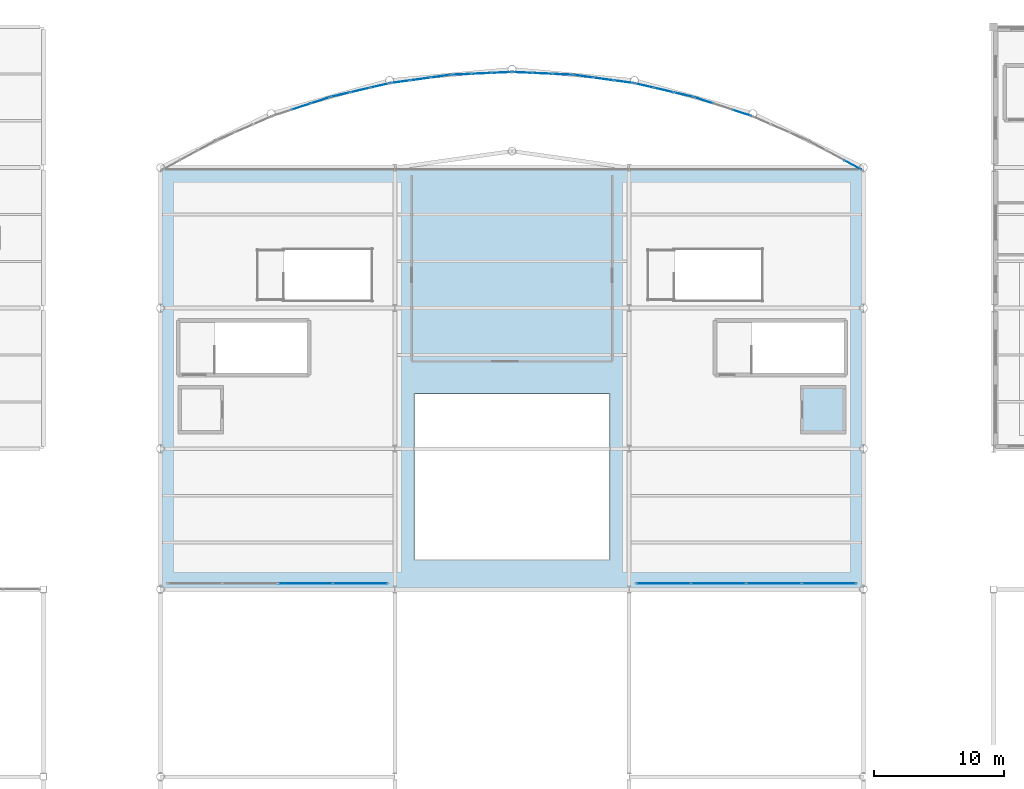
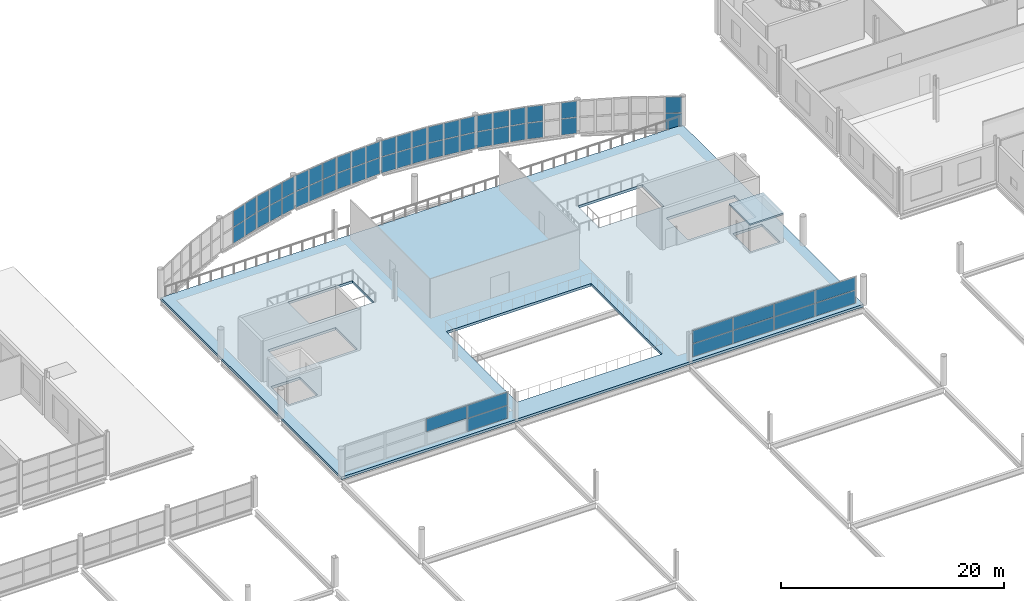
# One storey, part 116 of 134: 57 plates, 2 slabs, 11 elements without a shape of their own.
"""IFC4 building model written with IfcOpenShell, lengths in metres."""

from ifc_helpers import new_model, si_unit, direction, frame, origin, origin_2d, place, context, subcontext, project, spatial, polyline, rectangle, outline, extrude, material, layer, layer_set, type_object, element, aggregate, save


model = new_model("IFC4")

# Units and contexts
model_context = context("Model", 3, precision=1e-05, world=origin(), true_north=direction((0.0, 1.0)))
body_context = subcontext(model_context, "Body", "Model", "MODEL_VIEW")
ifc_project = project(units=[si_unit("LENGTHUNIT", "METRE"), si_unit("AREAUNIT", "SQUARE_METRE"), si_unit("VOLUMEUNIT", "CUBIC_METRE"), si_unit("PLANEANGLEUNIT", "RADIAN"), si_unit("MASSUNIT", "GRAM", prefix="KILO")], contexts=[model_context])

# Site, building, storey
site_placement = place(None, origin())
site = spatial("IfcSite", under=ifc_project, at=site_placement, CompositionType="ELEMENT")
building_placement = place(site_placement, origin())
building = spatial("IfcBuilding", under=site, at=building_placement, Name="Tamarisk Ironworks Central Station", CompositionType="ELEMENT")
storey_placement = place(building_placement, frame((0.0, 0.0, 12.60009765625)))
storey = spatial("IfcBuildingStorey", under=building, at=storey_placement, Name="L02", CompositionType="ELEMENT", Elevation=12.60009765625)

# Curtain wall, plates
ifc_material_1 = material(Name="Anodized aluminium alloy 6063-T6", Category="aluminium")
ifc_layer_1 = layer(ifc_material_1, 0.179931640625)
ifc_layer_set_1 = layer_set([ifc_layer_1], Name="Anodized aluminium alloy 6063-T6")
curtain_wall_type_1 = type_object("IfcCurtainWallType", Name="CW-24", PredefinedType="USERDEFINED", material=ifc_layer_set_1)
curtain_wall_1_placement = place(storey_placement, origin())
curtain_wall_1 = element("IfcCurtainWall", 1, at=curtain_wall_1_placement, inside=storey, type_object=curtain_wall_type_1, Name="Mezzanine south-west acoustic screen", ObjectType="GLAZED CURTAIN WALL", PredefinedType="USERDEFINED")
ifc_material_2 = material(Name="Laminated solar-control low-E glass", Category="glass")
ifc_layer_2 = layer(ifc_material_2, 0.02001953125)
ifc_layer_set_2 = layer_set([ifc_layer_2], Name="Laminated solar-control low-E glass")
plate_type_1 = type_object("IfcPlateType", Name="PL-CWP20", PredefinedType="CURTAIN_PANEL", material=ifc_layer_set_2)
plate_1_placement = place(storey_placement, frame((65.125, 79.64990234375, 1.531494140625), z_axis=(0.0, 0.0, 1.0), x_axis=(1.0, 0.0, 0.0)))
plate_1 = element("IfcPlate", 2, at=plate_1_placement, type_object=plate_type_1, Name="CW24 panel 3.2", PredefinedType="CURTAIN_PANEL", context=body_context, shape_type="SweptSolid", body=[
    extrude(rectangle(XDim=4.18701171875, YDim=0.02001953125, at=origin_2d()), origin(), (0.0, 0.0, 1.0), 1.3994140625),
])
plate_2_placement = place(storey_placement, frame((69.356201171875, 79.64990234375, 0.06884765625), z_axis=(0.0, 0.0, 1.0), x_axis=(1.0, 0.0, 0.0)))
plate_2 = element("IfcPlate", 3, at=plate_2_placement, type_object=plate_type_1, Name="CW24 panel 4.1", PredefinedType="CURTAIN_PANEL", context=body_context, shape_type="SweptSolid", body=[
    extrude(rectangle(XDim=4.1494140625, YDim=0.02001953125, at=origin_2d()), origin(), (0.0, 0.0, 1.0), 1.3994140625),
])
plate_3_placement = place(storey_placement, frame((69.356201171875, 79.64990234375, 1.531494140625), z_axis=(0.0, 0.0, 1.0), x_axis=(1.0, 0.0, 0.0)))
plate_3 = element("IfcPlate", 4, at=plate_3_placement, type_object=plate_type_1, Name="CW24 panel 4.2", PredefinedType="CURTAIN_PANEL", context=body_context, shape_type="SweptSolid", body=[
    extrude(rectangle(XDim=4.1494140625, YDim=0.02001953125, at=origin_2d()), origin(), (0.0, 0.0, 1.0), 1.3994140625),
])
aggregate(curtain_wall_1, [plate_1, plate_2, plate_3])

curtain_wall_2_placement = place(storey_placement, origin())
curtain_wall_2 = element("IfcCurtainWall", 5, at=curtain_wall_2_placement, inside=storey, type_object=curtain_wall_type_1, Name="Mezzanine south-east acoustic screen", ObjectType="GLAZED CURTAIN WALL", PredefinedType="USERDEFINED")
plate_4_placement = place(storey_placement, frame((92.643798828125, 79.64990234375, 0.06884765625), z_axis=(0.0, 0.0, 1.0), x_axis=(1.0, 0.0, 0.0)))
plate_4 = element("IfcPlate", 6, at=plate_4_placement, type_object=plate_type_1, Name="CW24 panel 1.1", PredefinedType="CURTAIN_PANEL", context=body_context, shape_type="SweptSolid", body=[
    extrude(rectangle(XDim=4.1494140625, YDim=0.02001953125, at=origin_2d()), origin(), (0.0, 0.0, 1.0), 1.3994140625),
])
plate_5_placement = place(storey_placement, frame((92.643798828125, 79.64990234375, 1.531494140625), z_axis=(0.0, 0.0, 1.0), x_axis=(1.0, 0.0, 0.0)))
plate_5 = element("IfcPlate", 7, at=plate_5_placement, type_object=plate_type_1, Name="CW24 panel 1.2", PredefinedType="CURTAIN_PANEL", context=body_context, shape_type="SweptSolid", body=[
    extrude(rectangle(XDim=4.1494140625, YDim=0.02001953125, at=origin_2d()), origin(), (0.0, 0.0, 1.0), 1.3994140625),
])
plate_6_placement = place(storey_placement, frame((96.875, 79.64990234375, 0.06884765625), z_axis=(0.0, 0.0, 1.0), x_axis=(1.0, 0.0, 0.0)))
plate_6 = element("IfcPlate", 8, at=plate_6_placement, type_object=plate_type_1, Name="CW24 panel 2.1", PredefinedType="CURTAIN_PANEL", context=body_context, shape_type="SweptSolid", body=[
    extrude(rectangle(XDim=4.18701171875, YDim=0.02001953125, at=origin_2d()), origin(), (0.0, 0.0, 1.0), 1.3994140625),
])
plate_7_placement = place(storey_placement, frame((96.875, 79.64990234375, 1.531494140625), z_axis=(0.0, 0.0, 1.0), x_axis=(1.0, 0.0, 0.0)))
plate_7 = element("IfcPlate", 9, at=plate_7_placement, type_object=plate_type_1, Name="CW24 panel 2.2", PredefinedType="CURTAIN_PANEL", context=body_context, shape_type="SweptSolid", body=[
    extrude(rectangle(XDim=4.18701171875, YDim=0.02001953125, at=origin_2d()), origin(), (0.0, 0.0, 1.0), 1.3994140625),
])
plate_8_placement = place(storey_placement, frame((101.125, 79.64990234375, 0.06884765625), z_axis=(0.0, 0.0, 1.0), x_axis=(1.0, 0.0, 0.0)))
plate_8 = element("IfcPlate", 10, at=plate_8_placement, type_object=plate_type_1, Name="CW24 panel 3.1", PredefinedType="CURTAIN_PANEL", context=body_context, shape_type="SweptSolid", body=[
    extrude(rectangle(XDim=4.18701171875, YDim=0.02001953125, at=origin_2d()), origin(), (0.0, 0.0, 1.0), 1.3994140625),
])
plate_9_placement = place(storey_placement, frame((101.125, 79.64990234375, 1.531494140625), z_axis=(0.0, 0.0, 1.0), x_axis=(1.0, 0.0, 0.0)))
plate_9 = element("IfcPlate", 11, at=plate_9_placement, type_object=plate_type_1, Name="CW24 panel 3.2", PredefinedType="CURTAIN_PANEL", context=body_context, shape_type="SweptSolid", body=[
    extrude(rectangle(XDim=4.18701171875, YDim=0.02001953125, at=origin_2d()), origin(), (0.0, 0.0, 1.0), 1.3994140625),
])
plate_10_placement = place(storey_placement, frame((105.356201171875, 79.64990234375, 0.06884765625), z_axis=(0.0, 0.0, 1.0), x_axis=(1.0, 0.0, 0.0)))
plate_10 = element("IfcPlate", 12, at=plate_10_placement, type_object=plate_type_1, Name="CW24 panel 4.1", PredefinedType="CURTAIN_PANEL", context=body_context, shape_type="SweptSolid", body=[
    extrude(rectangle(XDim=4.1494140625, YDim=0.02001953125, at=origin_2d()), origin(), (0.0, 0.0, 1.0), 1.3994140625),
])
plate_11_placement = place(storey_placement, frame((105.356201171875, 79.64990234375, 1.531494140625), z_axis=(0.0, 0.0, 1.0), x_axis=(1.0, 0.0, 0.0)))
plate_11 = element("IfcPlate", 13, at=plate_11_placement, type_object=plate_type_1, Name="CW24 panel 4.2", PredefinedType="CURTAIN_PANEL", context=body_context, shape_type="SweptSolid", body=[
    extrude(rectangle(XDim=4.1494140625, YDim=0.02001953125, at=origin_2d()), origin(), (0.0, 0.0, 1.0), 1.3994140625),
])
aggregate(curtain_wall_2, [plate_4, plate_5, plate_6, plate_7, plate_8, plate_9, plate_10, plate_11])

ifc_layer_3 = layer(ifc_material_1, 0.179931640625)
ifc_layer_set_3 = layer_set([ifc_layer_3], Name="Anodized aluminium alloy 6063-T6")
curtain_wall_type_2 = type_object("IfcCurtainWallType", Name="CW-03", PredefinedType="USERDEFINED", material=ifc_layer_set_3)
curtain_wall_3_placement = place(storey_placement, origin())
curtain_wall_3 = element("IfcCurtainWall", 14, at=curtain_wall_3_placement, inside=storey, type_object=curtain_wall_type_2, Name="NN rounded entrance hall L02 curtain wall bay 03", ObjectType="GLAZED CURTAIN WALL", PredefinedType="USERDEFINED")
ifc_layer_4 = layer(ifc_material_2, 0.028076171875)
ifc_layer_set_4 = layer_set([ifc_layer_4], Name="Laminated solar-control low-E glass")
plate_type_2 = type_object("IfcPlateType", Name="PL-CWP28", PredefinedType="CURTAIN_PANEL", material=ifc_layer_set_4)
plate_12_placement = place(storey_placement, frame((64.8046875, 116.28466796875, -0.316162109375), z_axis=(0.0, 0.0, 1.0), x_axis=(0.949720671692, 0.313098460171, 0.0)))
plate_12 = element("IfcPlate", 15, at=plate_12_placement, type_object=plate_type_2, Name="CW03 panel 2.1", PredefinedType="CURTAIN_PANEL", context=body_context, shape_type="SweptSolid", body=[
    extrude(rectangle(XDim=1.5068359375, YDim=0.028076171875, at=origin_2d()), origin(), (0.0, 0.0, 1.0), 1.73193359375),
])
plate_13_placement = place(storey_placement, frame((64.8046875, 116.28466796875, 1.47900390625), z_axis=(0.0, 0.0, 1.0), x_axis=(0.949720671692, 0.313098460171, 0.0)))
plate_13 = element("IfcPlate", 16, at=plate_13_placement, type_object=plate_type_2, Name="CW03 panel 2.2", PredefinedType="CURTAIN_PANEL", context=body_context, shape_type="SweptSolid", body=[
    extrude(rectangle(XDim=1.5068359375, YDim=0.028076171875, at=origin_2d()), origin(), (0.0, 0.0, 1.0), 1.73193359375),
])
plate_14_placement = place(storey_placement, frame((66.27783203125, 116.770263671875, -0.316162109375), z_axis=(0.0, 0.0, 1.0), x_axis=(0.949720671692, 0.313098460171, 0.0)))
plate_14 = element("IfcPlate", 17, at=plate_14_placement, type_object=plate_type_2, Name="CW03 panel 3.1", PredefinedType="CURTAIN_PANEL", context=body_context, shape_type="SweptSolid", body=[
    extrude(rectangle(XDim=1.469482421875, YDim=0.028076171875, at=origin_2d()), origin(), (0.0, 0.0, 1.0), 1.73193359375),
])
plate_15_placement = place(storey_placement, frame((66.27783203125, 116.770263671875, 1.47900390625), z_axis=(0.0, 0.0, 1.0), x_axis=(0.949720671692, 0.313098460171, 0.0)))
plate_15 = element("IfcPlate", 18, at=plate_15_placement, type_object=plate_type_2, Name="CW03 panel 3.2", PredefinedType="CURTAIN_PANEL", context=body_context, shape_type="SweptSolid", body=[
    extrude(rectangle(XDim=1.469482421875, YDim=0.028076171875, at=origin_2d()), origin(), (0.0, 0.0, 1.0), 1.73193359375),
])
aggregate(curtain_wall_3, [plate_12, plate_13, plate_14, plate_15])

curtain_wall_4_placement = place(storey_placement, origin())
curtain_wall_4 = element("IfcCurtainWall", 19, at=curtain_wall_4_placement, inside=storey, type_object=curtain_wall_type_2, Name="NN rounded entrance hall L02 curtain wall bay 04", ObjectType="GLAZED CURTAIN WALL", PredefinedType="USERDEFINED")
plate_16_placement = place(storey_placement, frame((67.823974609375, 117.203125, -0.316162109375), z_axis=(0.0, 0.0, 1.0), x_axis=(0.974239240545, 0.225516966506, 0.0)))
plate_16 = element("IfcPlate", 20, at=plate_16_placement, type_object=plate_type_2, Name="CW03 panel 1.1", PredefinedType="CURTAIN_PANEL", context=body_context, shape_type="SweptSolid", body=[
    extrude(rectangle(XDim=1.469482421875, YDim=0.028076171875, at=origin_2d()), origin(), (0.0, 0.0, 1.0), 1.73193359375),
])
plate_17_placement = place(storey_placement, frame((67.823974609375, 117.203125, 1.47900390625), z_axis=(0.0, 0.0, 1.0), x_axis=(0.974239240545, 0.225516966506, 0.0)))
plate_17 = element("IfcPlate", 21, at=plate_17_placement, type_object=plate_type_2, Name="CW03 panel 1.2", PredefinedType="CURTAIN_PANEL", context=body_context, shape_type="SweptSolid", body=[
    extrude(rectangle(XDim=1.469482421875, YDim=0.028076171875, at=origin_2d()), origin(), (0.0, 0.0, 1.0), 1.73193359375),
])
plate_18_placement = place(storey_placement, frame((69.335205078125, 117.552978515625, -0.316162109375), z_axis=(0.0, 0.0, 1.0), x_axis=(0.974239240545, 0.225516966506, 0.0)))
plate_18 = element("IfcPlate", 22, at=plate_18_placement, type_object=plate_type_2, Name="CW03 panel 2.1", PredefinedType="CURTAIN_PANEL", context=body_context, shape_type="SweptSolid", body=[
    extrude(rectangle(XDim=1.5068359375, YDim=0.028076171875, at=origin_2d()), origin(), (0.0, 0.0, 1.0), 1.73193359375),
])
plate_19_placement = place(storey_placement, frame((69.335205078125, 117.552978515625, 1.47900390625), z_axis=(0.0, 0.0, 1.0), x_axis=(0.974239240545, 0.225516966506, 0.0)))
plate_19 = element("IfcPlate", 23, at=plate_19_placement, type_object=plate_type_2, Name="CW03 panel 2.2", PredefinedType="CURTAIN_PANEL", context=body_context, shape_type="SweptSolid", body=[
    extrude(rectangle(XDim=1.5068359375, YDim=0.028076171875, at=origin_2d()), origin(), (0.0, 0.0, 1.0), 1.73193359375),
])
plate_20_placement = place(storey_placement, frame((70.846435546875, 117.90283203125, -0.316162109375), z_axis=(0.0, 0.0, 1.0), x_axis=(0.974239240545, 0.225516966506, 0.0)))
plate_20 = element("IfcPlate", 24, at=plate_20_placement, type_object=plate_type_2, Name="CW03 panel 3.1", PredefinedType="CURTAIN_PANEL", context=body_context, shape_type="SweptSolid", body=[
    extrude(rectangle(XDim=1.469482421875, YDim=0.028076171875, at=origin_2d()), origin(), (0.0, 0.0, 1.0), 1.73193359375),
])
plate_21_placement = place(storey_placement, frame((70.846435546875, 117.90283203125, 1.47900390625), z_axis=(0.0, 0.0, 1.0), x_axis=(0.974239240545, 0.225516966506, 0.0)))
plate_21 = element("IfcPlate", 25, at=plate_21_placement, type_object=plate_type_2, Name="CW03 panel 3.2", PredefinedType="CURTAIN_PANEL", context=body_context, shape_type="SweptSolid", body=[
    extrude(rectangle(XDim=1.469482421875, YDim=0.028076171875, at=origin_2d()), origin(), (0.0, 0.0, 1.0), 1.73193359375),
])
aggregate(curtain_wall_4, [plate_16, plate_17, plate_18, plate_19, plate_20, plate_21])

curtain_wall_5_placement = place(storey_placement, origin())
curtain_wall_5 = element("IfcCurtainWall", 26, at=curtain_wall_5_placement, inside=storey, type_object=curtain_wall_type_2, Name="NN rounded entrance hall L02 curtain wall bay 05", ObjectType="GLAZED CURTAIN WALL", PredefinedType="USERDEFINED")
plate_22_placement = place(storey_placement, frame((72.425537109375, 118.193359375, -0.316162109375), z_axis=(0.0, 0.0, 1.0), x_axis=(0.990703108403, 0.136041725218, 0.0)))
plate_22 = element("IfcPlate", 27, at=plate_22_placement, type_object=plate_type_2, Name="CW03 panel 1.1", PredefinedType="CURTAIN_PANEL", context=body_context, shape_type="SweptSolid", body=[
    extrude(rectangle(XDim=1.469482421875, YDim=0.028076171875, at=origin_2d()), origin(), (0.0, 0.0, 1.0), 1.73193359375),
])
plate_23_placement = place(storey_placement, frame((72.425537109375, 118.193359375, 1.47900390625), z_axis=(0.0, 0.0, 1.0), x_axis=(0.990703108403, 0.136041725218, 0.0)))
plate_23 = element("IfcPlate", 28, at=plate_23_placement, type_object=plate_type_2, Name="CW03 panel 1.2", PredefinedType="CURTAIN_PANEL", context=body_context, shape_type="SweptSolid", body=[
    extrude(rectangle(XDim=1.469482421875, YDim=0.028076171875, at=origin_2d()), origin(), (0.0, 0.0, 1.0), 1.73193359375),
])
plate_24_placement = place(storey_placement, frame((73.96240234375, 118.404541015625, -0.316162109375), z_axis=(0.0, 0.0, 1.0), x_axis=(0.990703108403, 0.136041725218, 0.0)))
plate_24 = element("IfcPlate", 29, at=plate_24_placement, type_object=plate_type_2, Name="CW03 panel 2.1", PredefinedType="CURTAIN_PANEL", context=body_context, shape_type="SweptSolid", body=[
    extrude(rectangle(XDim=1.5068359375, YDim=0.028076171875, at=origin_2d()), origin(), (0.0, 0.0, 1.0), 1.73193359375),
])
plate_25_placement = place(storey_placement, frame((73.96240234375, 118.404541015625, 1.47900390625), z_axis=(0.0, 0.0, 1.0), x_axis=(0.990703108403, 0.136041725218, 0.0)))
plate_25 = element("IfcPlate", 30, at=plate_25_placement, type_object=plate_type_2, Name="CW03 panel 2.2", PredefinedType="CURTAIN_PANEL", context=body_context, shape_type="SweptSolid", body=[
    extrude(rectangle(XDim=1.5068359375, YDim=0.028076171875, at=origin_2d()), origin(), (0.0, 0.0, 1.0), 1.73193359375),
])
plate_26_placement = place(storey_placement, frame((75.4990234375, 118.615478515625, -0.316162109375), z_axis=(0.0, 0.0, 1.0), x_axis=(0.990703108403, 0.136041725218, 0.0)))
plate_26 = element("IfcPlate", 31, at=plate_26_placement, type_object=plate_type_2, Name="CW03 panel 3.1", PredefinedType="CURTAIN_PANEL", context=body_context, shape_type="SweptSolid", body=[
    extrude(rectangle(XDim=1.469482421875, YDim=0.028076171875, at=origin_2d()), origin(), (0.0, 0.0, 1.0), 1.73193359375),
])
plate_27_placement = place(storey_placement, frame((75.4990234375, 118.615478515625, 1.47900390625), z_axis=(0.0, 0.0, 1.0), x_axis=(0.990703108403, 0.136041725218, 0.0)))
plate_27 = element("IfcPlate", 32, at=plate_27_placement, type_object=plate_type_2, Name="CW03 panel 3.2", PredefinedType="CURTAIN_PANEL", context=body_context, shape_type="SweptSolid", body=[
    extrude(rectangle(XDim=1.469482421875, YDim=0.028076171875, at=origin_2d()), origin(), (0.0, 0.0, 1.0), 1.73193359375),
])
aggregate(curtain_wall_5, [plate_22, plate_23, plate_24, plate_25, plate_26, plate_27])

curtain_wall_6_placement = place(storey_placement, origin())
curtain_wall_6 = element("IfcCurtainWall", 33, at=curtain_wall_6_placement, inside=storey, type_object=curtain_wall_type_2, Name="NN rounded entrance hall L02 curtain wall bay 06", ObjectType="GLAZED CURTAIN WALL", PredefinedType="USERDEFINED")
plate_28_placement = place(storey_placement, frame((77.09814453125, 118.761474609375, -0.316162109375), z_axis=(0.0, 0.0, 1.0), x_axis=(0.998965210312, 0.045480859558, 0.0)))
plate_28 = element("IfcPlate", 34, at=plate_28_placement, type_object=plate_type_2, Name="CW03 panel 1.1", PredefinedType="CURTAIN_PANEL", context=body_context, shape_type="SweptSolid", body=[
    extrude(rectangle(XDim=1.469482421875, YDim=0.028076171875, at=origin_2d()), origin(), (0.0, 0.0, 1.0), 1.73193359375),
])
plate_29_placement = place(storey_placement, frame((77.09814453125, 118.761474609375, 1.47900390625), z_axis=(0.0, 0.0, 1.0), x_axis=(0.998965210312, 0.045480859558, 0.0)))
plate_29 = element("IfcPlate", 35, at=plate_29_placement, type_object=plate_type_2, Name="CW03 panel 1.2", PredefinedType="CURTAIN_PANEL", context=body_context, shape_type="SweptSolid", body=[
    extrude(rectangle(XDim=1.469482421875, YDim=0.028076171875, at=origin_2d()), origin(), (0.0, 0.0, 1.0), 1.73193359375),
])
plate_30_placement = place(storey_placement, frame((78.647705078125, 118.831787109375, -0.316162109375), z_axis=(0.0, 0.0, 1.0), x_axis=(0.998965210312, 0.045480859558, 0.0)))
plate_30 = element("IfcPlate", 36, at=plate_30_placement, type_object=plate_type_2, Name="CW03 panel 2.1", PredefinedType="CURTAIN_PANEL", context=body_context, shape_type="SweptSolid", body=[
    extrude(rectangle(XDim=1.5068359375, YDim=0.028076171875, at=origin_2d()), origin(), (0.0, 0.0, 1.0), 1.73193359375),
])
plate_31_placement = place(storey_placement, frame((78.647705078125, 118.831787109375, 1.47900390625), z_axis=(0.0, 0.0, 1.0), x_axis=(0.998965210312, 0.045480859558, 0.0)))
plate_31 = element("IfcPlate", 37, at=plate_31_placement, type_object=plate_type_2, Name="CW03 panel 2.2", PredefinedType="CURTAIN_PANEL", context=body_context, shape_type="SweptSolid", body=[
    extrude(rectangle(XDim=1.5068359375, YDim=0.028076171875, at=origin_2d()), origin(), (0.0, 0.0, 1.0), 1.73193359375),
])
plate_32_placement = place(storey_placement, frame((80.197021484375, 118.90234375, -0.316162109375), z_axis=(0.0, 0.0, 1.0), x_axis=(0.998965210312, 0.045480859558, 0.0)))
plate_32 = element("IfcPlate", 38, at=plate_32_placement, type_object=plate_type_2, Name="CW03 panel 3.1", PredefinedType="CURTAIN_PANEL", context=body_context, shape_type="SweptSolid", body=[
    extrude(rectangle(XDim=1.469482421875, YDim=0.028076171875, at=origin_2d()), origin(), (0.0, 0.0, 1.0), 1.73193359375),
])
plate_33_placement = place(storey_placement, frame((80.197021484375, 118.90234375, 1.47900390625), z_axis=(0.0, 0.0, 1.0), x_axis=(0.998965210312, 0.045480859558, 0.0)))
plate_33 = element("IfcPlate", 39, at=plate_33_placement, type_object=plate_type_2, Name="CW03 panel 3.2", PredefinedType="CURTAIN_PANEL", context=body_context, shape_type="SweptSolid", body=[
    extrude(rectangle(XDim=1.469482421875, YDim=0.028076171875, at=origin_2d()), origin(), (0.0, 0.0, 1.0), 1.73193359375),
])
aggregate(curtain_wall_6, [plate_28, plate_29, plate_30, plate_31, plate_32, plate_33])

curtain_wall_7_placement = place(storey_placement, origin())
curtain_wall_7 = element("IfcCurtainWall", 40, at=curtain_wall_7_placement, inside=storey, type_object=curtain_wall_type_2, Name="NN rounded entrance hall L02 curtain wall bay 07", ObjectType="GLAZED CURTAIN WALL", PredefinedType="USERDEFINED")
plate_34_placement = place(storey_placement, frame((81.802978515625, 118.90234375, -0.316162109375), z_axis=(0.0, 0.0, 1.0), x_axis=(0.998965210312, -0.045480859558, 0.0)))
plate_34 = element("IfcPlate", 41, at=plate_34_placement, type_object=plate_type_2, Name="CW03 panel 1.1", PredefinedType="CURTAIN_PANEL", context=body_context, shape_type="SweptSolid", body=[
    extrude(rectangle(XDim=1.469482421875, YDim=0.028076171875, at=origin_2d()), origin(), (0.0, 0.0, 1.0), 1.73193359375),
])
plate_35_placement = place(storey_placement, frame((81.802978515625, 118.90234375, 1.47900390625), z_axis=(0.0, 0.0, 1.0), x_axis=(0.998965210312, -0.045480859558, 0.0)))
plate_35 = element("IfcPlate", 42, at=plate_35_placement, type_object=plate_type_2, Name="CW03 panel 1.2", PredefinedType="CURTAIN_PANEL", context=body_context, shape_type="SweptSolid", body=[
    extrude(rectangle(XDim=1.469482421875, YDim=0.028076171875, at=origin_2d()), origin(), (0.0, 0.0, 1.0), 1.73193359375),
])
plate_36_placement = place(storey_placement, frame((83.352294921875, 118.831787109375, -0.316162109375), z_axis=(0.0, 0.0, 1.0), x_axis=(0.998965210312, -0.045480859558, 0.0)))
plate_36 = element("IfcPlate", 43, at=plate_36_placement, type_object=plate_type_2, Name="CW03 panel 2.1", PredefinedType="CURTAIN_PANEL", context=body_context, shape_type="SweptSolid", body=[
    extrude(rectangle(XDim=1.5068359375, YDim=0.028076171875, at=origin_2d()), origin(), (0.0, 0.0, 1.0), 1.73193359375),
])
plate_37_placement = place(storey_placement, frame((83.352294921875, 118.831787109375, 1.47900390625), z_axis=(0.0, 0.0, 1.0), x_axis=(0.998965210312, -0.045480859558, 0.0)))
plate_37 = element("IfcPlate", 44, at=plate_37_placement, type_object=plate_type_2, Name="CW03 panel 2.2", PredefinedType="CURTAIN_PANEL", context=body_context, shape_type="SweptSolid", body=[
    extrude(rectangle(XDim=1.5068359375, YDim=0.028076171875, at=origin_2d()), origin(), (0.0, 0.0, 1.0), 1.73193359375),
])
plate_38_placement = place(storey_placement, frame((84.90185546875, 118.761474609375, -0.316162109375), z_axis=(0.0, 0.0, 1.0), x_axis=(0.998965210312, -0.045480859558, 0.0)))
plate_38 = element("IfcPlate", 45, at=plate_38_placement, type_object=plate_type_2, Name="CW03 panel 3.1", PredefinedType="CURTAIN_PANEL", context=body_context, shape_type="SweptSolid", body=[
    extrude(rectangle(XDim=1.469482421875, YDim=0.028076171875, at=origin_2d()), origin(), (0.0, 0.0, 1.0), 1.73193359375),
])
plate_39_placement = place(storey_placement, frame((84.90185546875, 118.761474609375, 1.47900390625), z_axis=(0.0, 0.0, 1.0), x_axis=(0.998965210312, -0.045480859558, 0.0)))
plate_39 = element("IfcPlate", 46, at=plate_39_placement, type_object=plate_type_2, Name="CW03 panel 3.2", PredefinedType="CURTAIN_PANEL", context=body_context, shape_type="SweptSolid", body=[
    extrude(rectangle(XDim=1.469482421875, YDim=0.028076171875, at=origin_2d()), origin(), (0.0, 0.0, 1.0), 1.73193359375),
])
aggregate(curtain_wall_7, [plate_34, plate_35, plate_36, plate_37, plate_38, plate_39])

curtain_wall_8_placement = place(storey_placement, origin())
curtain_wall_8 = element("IfcCurtainWall", 47, at=curtain_wall_8_placement, inside=storey, type_object=curtain_wall_type_2, Name="NN rounded entrance hall L02 curtain wall bay 08", ObjectType="GLAZED CURTAIN WALL", PredefinedType="USERDEFINED")
plate_40_placement = place(storey_placement, frame((86.5009765625, 118.615478515625, -0.316162109375), z_axis=(0.0, 0.0, 1.0), x_axis=(0.990703108403, -0.136041725218, 0.0)))
plate_40 = element("IfcPlate", 48, at=plate_40_placement, type_object=plate_type_2, Name="CW03 panel 1.1", PredefinedType="CURTAIN_PANEL", context=body_context, shape_type="SweptSolid", body=[
    extrude(rectangle(XDim=1.469482421875, YDim=0.028076171875, at=origin_2d()), origin(), (0.0, 0.0, 1.0), 1.73193359375),
])
plate_41_placement = place(storey_placement, frame((86.5009765625, 118.615478515625, 1.47900390625), z_axis=(0.0, 0.0, 1.0), x_axis=(0.990703108403, -0.136041725218, 0.0)))
plate_41 = element("IfcPlate", 49, at=plate_41_placement, type_object=plate_type_2, Name="CW03 panel 1.2", PredefinedType="CURTAIN_PANEL", context=body_context, shape_type="SweptSolid", body=[
    extrude(rectangle(XDim=1.469482421875, YDim=0.028076171875, at=origin_2d()), origin(), (0.0, 0.0, 1.0), 1.73193359375),
])
plate_42_placement = place(storey_placement, frame((88.03759765625, 118.404541015625, -0.316162109375), z_axis=(0.0, 0.0, 1.0), x_axis=(0.990703108403, -0.136041725218, 0.0)))
plate_42 = element("IfcPlate", 50, at=plate_42_placement, type_object=plate_type_2, Name="CW03 panel 2.1", PredefinedType="CURTAIN_PANEL", context=body_context, shape_type="SweptSolid", body=[
    extrude(rectangle(XDim=1.5068359375, YDim=0.028076171875, at=origin_2d()), origin(), (0.0, 0.0, 1.0), 1.73193359375),
])
plate_43_placement = place(storey_placement, frame((88.03759765625, 118.404541015625, 1.47900390625), z_axis=(0.0, 0.0, 1.0), x_axis=(0.990703108403, -0.136041725218, 0.0)))
plate_43 = element("IfcPlate", 51, at=plate_43_placement, type_object=plate_type_2, Name="CW03 panel 2.2", PredefinedType="CURTAIN_PANEL", context=body_context, shape_type="SweptSolid", body=[
    extrude(rectangle(XDim=1.5068359375, YDim=0.028076171875, at=origin_2d()), origin(), (0.0, 0.0, 1.0), 1.73193359375),
])
plate_44_placement = place(storey_placement, frame((89.574462890625, 118.193359375, -0.316162109375), z_axis=(0.0, 0.0, 1.0), x_axis=(0.990703108403, -0.136041725218, 0.0)))
plate_44 = element("IfcPlate", 52, at=plate_44_placement, type_object=plate_type_2, Name="CW03 panel 3.1", PredefinedType="CURTAIN_PANEL", context=body_context, shape_type="SweptSolid", body=[
    extrude(rectangle(XDim=1.469482421875, YDim=0.028076171875, at=origin_2d()), origin(), (0.0, 0.0, 1.0), 1.73193359375),
])
plate_45_placement = place(storey_placement, frame((89.574462890625, 118.193359375, 1.47900390625), z_axis=(0.0, 0.0, 1.0), x_axis=(0.990703108403, -0.136041725218, 0.0)))
plate_45 = element("IfcPlate", 53, at=plate_45_placement, type_object=plate_type_2, Name="CW03 panel 3.2", PredefinedType="CURTAIN_PANEL", context=body_context, shape_type="SweptSolid", body=[
    extrude(rectangle(XDim=1.469482421875, YDim=0.028076171875, at=origin_2d()), origin(), (0.0, 0.0, 1.0), 1.73193359375),
])
aggregate(curtain_wall_8, [plate_40, plate_41, plate_42, plate_43, plate_44, plate_45])

curtain_wall_9_placement = place(storey_placement, origin())
curtain_wall_9 = element("IfcCurtainWall", 54, at=curtain_wall_9_placement, inside=storey, type_object=curtain_wall_type_2, Name="NN rounded entrance hall L02 curtain wall bay 09", ObjectType="GLAZED CURTAIN WALL", PredefinedType="USERDEFINED")
plate_46_placement = place(storey_placement, frame((91.153564453125, 117.90283203125, -0.316162109375), z_axis=(0.0, 0.0, 1.0), x_axis=(0.974239240545, -0.225516966506, 0.0)))
plate_46 = element("IfcPlate", 55, at=plate_46_placement, type_object=plate_type_2, Name="CW03 panel 1.1", PredefinedType="CURTAIN_PANEL", context=body_context, shape_type="SweptSolid", body=[
    extrude(rectangle(XDim=1.469482421875, YDim=0.028076171875, at=origin_2d()), origin(), (0.0, 0.0, 1.0), 1.73193359375),
])
plate_47_placement = place(storey_placement, frame((91.153564453125, 117.90283203125, 1.47900390625), z_axis=(0.0, 0.0, 1.0), x_axis=(0.974239240545, -0.225516966506, 0.0)))
plate_47 = element("IfcPlate", 56, at=plate_47_placement, type_object=plate_type_2, Name="CW03 panel 1.2", PredefinedType="CURTAIN_PANEL", context=body_context, shape_type="SweptSolid", body=[
    extrude(rectangle(XDim=1.469482421875, YDim=0.028076171875, at=origin_2d()), origin(), (0.0, 0.0, 1.0), 1.73193359375),
])
plate_48_placement = place(storey_placement, frame((92.664794921875, 117.552978515625, -0.316162109375), z_axis=(0.0, 0.0, 1.0), x_axis=(0.974239240545, -0.225516966506, 0.0)))
plate_48 = element("IfcPlate", 57, at=plate_48_placement, type_object=plate_type_2, Name="CW03 panel 2.1", PredefinedType="CURTAIN_PANEL", context=body_context, shape_type="SweptSolid", body=[
    extrude(rectangle(XDim=1.5068359375, YDim=0.028076171875, at=origin_2d()), origin(), (0.0, 0.0, 1.0), 1.73193359375),
])
plate_49_placement = place(storey_placement, frame((92.664794921875, 117.552978515625, 1.47900390625), z_axis=(0.0, 0.0, 1.0), x_axis=(0.974239240545, -0.225516966506, 0.0)))
plate_49 = element("IfcPlate", 58, at=plate_49_placement, type_object=plate_type_2, Name="CW03 panel 2.2", PredefinedType="CURTAIN_PANEL", context=body_context, shape_type="SweptSolid", body=[
    extrude(rectangle(XDim=1.5068359375, YDim=0.028076171875, at=origin_2d()), origin(), (0.0, 0.0, 1.0), 1.73193359375),
])
plate_50_placement = place(storey_placement, frame((94.176025390625, 117.203125, -0.316162109375), z_axis=(0.0, 0.0, 1.0), x_axis=(0.974239240545, -0.225516966506, 0.0)))
plate_50 = element("IfcPlate", 59, at=plate_50_placement, type_object=plate_type_2, Name="CW03 panel 3.1", PredefinedType="CURTAIN_PANEL", context=body_context, shape_type="SweptSolid", body=[
    extrude(rectangle(XDim=1.469482421875, YDim=0.028076171875, at=origin_2d()), origin(), (0.0, 0.0, 1.0), 1.73193359375),
])
plate_51_placement = place(storey_placement, frame((94.176025390625, 117.203125, 1.47900390625), z_axis=(0.0, 0.0, 1.0), x_axis=(0.974239240545, -0.225516966506, 0.0)))
plate_51 = element("IfcPlate", 60, at=plate_51_placement, type_object=plate_type_2, Name="CW03 panel 3.2", PredefinedType="CURTAIN_PANEL", context=body_context, shape_type="SweptSolid", body=[
    extrude(rectangle(XDim=1.469482421875, YDim=0.028076171875, at=origin_2d()), origin(), (0.0, 0.0, 1.0), 1.73193359375),
])
aggregate(curtain_wall_9, [plate_46, plate_47, plate_48, plate_49, plate_50, plate_51])

curtain_wall_10_placement = place(storey_placement, origin())
curtain_wall_10 = element("IfcCurtainWall", 61, at=curtain_wall_10_placement, inside=storey, type_object=curtain_wall_type_2, Name="NN rounded entrance hall L02 curtain wall bay 10", ObjectType="GLAZED CURTAIN WALL", PredefinedType="USERDEFINED")
plate_52_placement = place(storey_placement, frame((95.72216796875, 116.770263671875, -0.316162109375), z_axis=(0.0, 0.0, 1.0), x_axis=(0.949720671692, -0.313098460171, 0.0)))
plate_52 = element("IfcPlate", 62, at=plate_52_placement, type_object=plate_type_2, Name="CW03 panel 1.1", PredefinedType="CURTAIN_PANEL", context=body_context, shape_type="SweptSolid", body=[
    extrude(rectangle(XDim=1.469482421875, YDim=0.028076171875, at=origin_2d()), origin(), (0.0, 0.0, 1.0), 1.73193359375),
])
plate_53_placement = place(storey_placement, frame((95.72216796875, 116.770263671875, 1.47900390625), z_axis=(0.0, 0.0, 1.0), x_axis=(0.949720671692, -0.313098460171, 0.0)))
plate_53 = element("IfcPlate", 63, at=plate_53_placement, type_object=plate_type_2, Name="CW03 panel 1.2", PredefinedType="CURTAIN_PANEL", context=body_context, shape_type="SweptSolid", body=[
    extrude(rectangle(XDim=1.469482421875, YDim=0.028076171875, at=origin_2d()), origin(), (0.0, 0.0, 1.0), 1.73193359375),
])
plate_54_placement = place(storey_placement, frame((98.66845703125, 115.799072265625, -0.316162109375), z_axis=(0.0, 0.0, 1.0), x_axis=(0.949720671692, -0.313098460171, 0.0)))
plate_54 = element("IfcPlate", 64, at=plate_54_placement, type_object=plate_type_2, Name="CW03 panel 3.1", PredefinedType="CURTAIN_PANEL", context=body_context, shape_type="SweptSolid", body=[
    extrude(rectangle(XDim=1.469482421875, YDim=0.028076171875, at=origin_2d()), origin(), (0.0, 0.0, 1.0), 1.73193359375),
])
plate_55_placement = place(storey_placement, frame((98.66845703125, 115.799072265625, 1.47900390625), z_axis=(0.0, 0.0, 1.0), x_axis=(0.949720671692, -0.313098460171, 0.0)))
plate_55 = element("IfcPlate", 65, at=plate_55_placement, type_object=plate_type_2, Name="CW03 panel 3.2", PredefinedType="CURTAIN_PANEL", context=body_context, shape_type="SweptSolid", body=[
    extrude(rectangle(XDim=1.469482421875, YDim=0.028076171875, at=origin_2d()), origin(), (0.0, 0.0, 1.0), 1.73193359375),
])
aggregate(curtain_wall_10, [plate_52, plate_53, plate_54, plate_55])

curtain_wall_11_placement = place(storey_placement, origin())
curtain_wall_11 = element("IfcCurtainWall", 66, at=curtain_wall_11_placement, inside=storey, type_object=curtain_wall_type_2, Name="NN rounded entrance hall L02 curtain wall bay 12", ObjectType="GLAZED CURTAIN WALL", PredefinedType="USERDEFINED")
plate_56_placement = place(storey_placement, frame((107.17919921875, 111.798583984375, -0.316162109375), z_axis=(0.0, 0.0, 1.0), x_axis=(0.877374910495, -0.47980544644, 0.0)))
plate_56 = element("IfcPlate", 67, at=plate_56_placement, type_object=plate_type_2, Name="CW03 panel 3.1", PredefinedType="CURTAIN_PANEL", context=body_context, shape_type="SweptSolid", body=[
    extrude(rectangle(XDim=1.469482421875, YDim=0.028076171875, at=origin_2d()), origin(), (0.0, 0.0, 1.0), 1.73193359375),
])
plate_57_placement = place(storey_placement, frame((107.17919921875, 111.798583984375, 1.47900390625), z_axis=(0.0, 0.0, 1.0), x_axis=(0.877374910495, -0.47980544644, 0.0)))
plate_57 = element("IfcPlate", 68, at=plate_57_placement, type_object=plate_type_2, Name="CW03 panel 3.2", PredefinedType="CURTAIN_PANEL", context=body_context, shape_type="SweptSolid", body=[
    extrude(rectangle(XDim=1.469482421875, YDim=0.028076171875, at=origin_2d()), origin(), (0.0, 0.0, 1.0), 1.73193359375),
])
aggregate(curtain_wall_11, [plate_56, plate_57])

# Slabs
ifc_material_3 = material(Name="Concrete C35/45", Category="concrete")
ifc_layer_5 = layer(ifc_material_3, 0.280029296875)
ifc_layer_set_5 = layer_set([ifc_layer_5], Name="Concrete C35/45")
slab_type_1 = type_object("IfcSlabType", Name="SL-MZ280", PredefinedType="FLOOR", material=ifc_layer_set_5)
slab_1_placement = place(storey_placement, frame((0.0, 0.0, -0.280029296875)))
element("IfcSlab", 69, at=slab_1_placement, inside=storey, type_object=slab_type_1, Name="L02 Mezzanine and Upper Floor Slab V2-MEZZ", PredefinedType="FLOOR", context=body_context, shape_type="SweptSolid", body=[
    extrude(outline(polyline([(54.0, 79.199951171875), (108.0, 79.199951171875), (108.0, 111.60009765625), (54.0, 111.60009765625), (54.0, 79.199951171875)]), holes=[polyline([(58.199951171875, 95.800048828125), (65.25, 95.800048828125), (65.25, 99.699951171875), (58.199951171875, 99.699951171875), (58.199951171875, 95.800048828125)]), polyline([(99.449951171875, 95.800048828125), (106.5, 95.800048828125), (106.5, 99.699951171875), (99.449951171875, 99.699951171875), (99.449951171875, 95.800048828125)]), polyline([(63.5, 101.39990234375), (70.199951171875, 101.39990234375), (70.199951171875, 105.300048828125), (63.5, 105.300048828125), (63.5, 101.39990234375)]), polyline([(93.5, 101.39990234375), (100.199951171875, 101.39990234375), (100.199951171875, 105.300048828125), (93.5, 105.300048828125), (93.5, 101.39990234375)]), polyline([(55.60009765625, 91.39990234375), (58.60009765625, 91.39990234375), (58.60009765625, 94.60009765625), (55.60009765625, 94.60009765625), (55.60009765625, 91.39990234375)]), polyline([(103.39990234375, 91.39990234375), (106.39990234375, 91.39990234375), (106.39990234375, 94.60009765625), (103.39990234375, 94.60009765625), (103.39990234375, 91.39990234375)]), polyline([(73.5, 81.5), (88.5, 81.5), (88.5, 94.199951171875), (73.5, 94.199951171875), (73.5, 81.5)])]), origin(), (0.0, 0.0, 1.0), 0.280029296875),
])
ifc_layer_6 = layer(ifc_material_3, 0.159912109375)
ifc_layer_set_6 = layer_set([ifc_layer_6], Name="Concrete C35/45")
slab_type_2 = type_object("IfcSlabType", Name="SL-RF160", PredefinedType="ROOF", material=ifc_layer_set_6)
slab_2_placement = place(storey_placement, frame((0.0, 0.0, 3.0498046875)))
element("IfcSlab", 70, at=slab_2_placement, inside=storey, type_object=slab_type_2, Name="LF-C2 shaft overrun cap slab", PredefinedType="ROOF", context=body_context, shape_type="SweptSolid", body=[
    extrude(outline(polyline([(103.14990234375, 91.14990234375), (106.64990234375, 91.14990234375), (106.64990234375, 94.85009765625), (103.14990234375, 94.85009765625), (103.14990234375, 91.14990234375)])), origin(), (0.0, 0.0, 1.0), 0.16015625),
])

save(model, "model.ifc")
